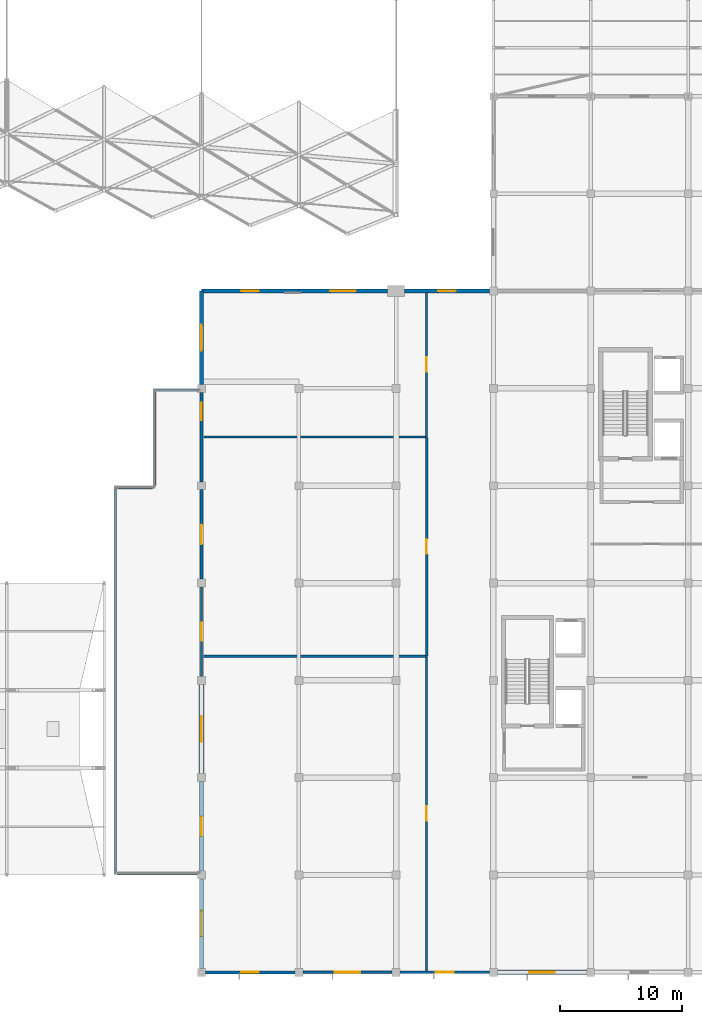
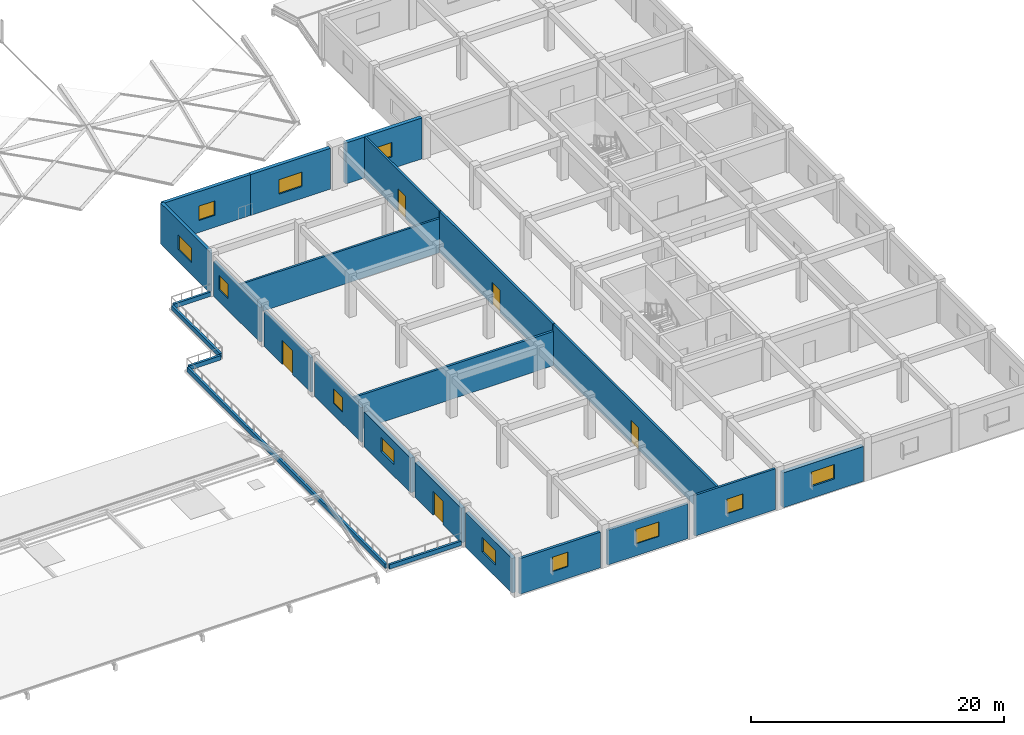
# One storey, part 38 of 54: 24 walls, 12 windows, 5 doors, 17 openings.
"""IFC4 building model written with IfcOpenShell, lengths in metres."""

from ifc_helpers import new_model, si_unit, direction, frame, frame_2d, origin, place, context, subcontext, project, spatial, rectangle, extrude, material, layer, layer_set, type_object, element, fill, save


model = new_model("IFC4")

# Units and contexts
model_context = context("Model", 3, precision=1e-05, world=origin(), true_north=direction((0.0, 1.0)))
body_context = subcontext(model_context, "Body", "Model", "MODEL_VIEW")
ifc_project = project(units=[si_unit("LENGTHUNIT", "METRE"), si_unit("AREAUNIT", "SQUARE_METRE"), si_unit("VOLUMEUNIT", "CUBIC_METRE"), si_unit("PLANEANGLEUNIT", "RADIAN"), si_unit("MASSUNIT", "GRAM", prefix="KILO")], contexts=[model_context])

# Site, building, storey
site_placement = place(None, origin())
site = spatial("IfcSite", under=ifc_project, at=site_placement, CompositionType="ELEMENT")
building_placement = place(site_placement, origin())
building = spatial("IfcBuilding", under=site, at=building_placement, Name="Kenh Van Central Station", CompositionType="ELEMENT")
storey_placement = place(building_placement, frame((0.0, 0.0, 15.0)))
storey = spatial("IfcBuildingStorey", under=building, at=storey_placement, Name="L03", CompositionType="ELEMENT", Elevation=15.0)

# Wall, opening, door
ifc_material_1 = material(Name="Lightweight acoustic masonry blockwork", Category="masonry")
ifc_layer_1 = layer(ifc_material_1, 0.18994140625, Name="Lightweight acoustic masonry blockwork")
ifc_layer_set_1 = layer_set([ifc_layer_1], Name="Lightweight acoustic masonry blockwork")
wall_type_1 = type_object("IfcWallType", Name="WL-COMP-190", PredefinedType="SOLIDWALL", material=ifc_layer_set_1)
wall_1_placement = place(storey_placement, frame((146.5, 8.1201171875, 0.0), z_axis=(0.0, 0.0, 1.0), x_axis=(0.0, 1.0, 0.0)))
wall_1 = element("IfcWall", 1, at=wall_1_placement, inside=storey, type_object=wall_type_1, Name="L03 interior wall 0171", PredefinedType="SOLIDWALL", context=body_context, shape_type="SweptSolid", body=[
    extrude(rectangle(XDim=25.85986328125, YDim=0.18994140625, at=frame_2d((12.929931640625, 0.0))), origin(), (0.0, 0.0, 1.0), 3.949951171875),
])
opening_1_placement = place(wall_1_placement, frame((12.330078125, 0.0, 0.0)))
opening_1 = element("IfcOpeningElement", 2, at=opening_1_placement, cuts=wall_1, Name="Opening D-FD60S", PredefinedType="OPENING", context=body_context, shape_type="SweptSolid", body=[
    extrude(rectangle(XDim=1.199951171875, YDim=2.14990234375, at=frame_2d((0.60009765625, 1.074951171875))), frame((0.0, 0.10498046875, 0.0), z_axis=(0.0, -1.0, 0.0), x_axis=(1.0, 0.0, 0.0)), (0.0, 0.0, 1.0), 0.2099609375),
])
ifc_material_2 = material(Name="Champagne anodised aluminium", Category="aluminium")
door_type_1 = type_object("IfcDoorType", Name="DR-FIRE-1200x2150", OperationType="NOTDEFINED", PredefinedType="DOOR", material=ifc_material_2)
door_1_placement = place(opening_1_placement, origin())
door_1 = element("IfcDoor", 3, at=door_1_placement, inside=storey, type_object=door_type_1, Name="L03 interior door 0094", OperationType="SINGLE_SWING_LEFT", OverallHeight=2.14990234375, OverallWidth=1.199951171875, PredefinedType="DOOR", context=body_context, shape_type="SweptSolid", body=[
    extrude(rectangle(XDim=1.199951171875, YDim=2.14990234375, at=frame_2d((0.60009765625, 1.074951171875))), frame((0.0, 0.02490234375, 0.0), z_axis=(0.0, -1.0, 0.0), x_axis=(1.0, 0.0, 0.0)), (0.0, 0.0, 1.0), 0.050048828125),
])
fill(opening_1, door_1)

wall_2_placement = place(storey_placement, frame((146.5, 52.02001953125, 0.0), z_axis=(0.0, 0.0, 1.0), x_axis=(0.0, 1.0, 0.0)))
wall_2 = element("IfcWall", 4, at=wall_2_placement, inside=storey, type_object=wall_type_1, Name="L03 interior wall 0173", PredefinedType="SOLIDWALL", context=body_context, shape_type="SweptSolid", body=[
    extrude(rectangle(XDim=11.85986328125, YDim=0.18994140625, at=frame_2d((5.929931640625, 0.0))), origin(), (0.0, 0.0, 1.0), 3.949951171875),
])
opening_2_placement = place(wall_2_placement, frame((5.330078125, 0.0, 0.0)))
opening_2 = element("IfcOpeningElement", 5, at=opening_2_placement, cuts=wall_2, Name="Opening D-FD60S", PredefinedType="OPENING", context=body_context, shape_type="SweptSolid", body=[
    extrude(rectangle(XDim=1.199951171875, YDim=2.14990234375, at=frame_2d((0.60009765625, 1.074951171875))), frame((0.0, 0.10498046875, 0.0), z_axis=(0.0, -1.0, 0.0), x_axis=(1.0, 0.0, 0.0)), (0.0, 0.0, 1.0), 0.2099609375),
])
door_2_placement = place(opening_2_placement, origin())
door_2 = element("IfcDoor", 6, at=door_2_placement, inside=storey, type_object=door_type_1, Name="L03 interior door 0096", OperationType="SINGLE_SWING_LEFT", OverallHeight=2.14990234375, OverallWidth=1.199951171875, PredefinedType="DOOR", context=body_context, shape_type="SweptSolid", body=[
    extrude(rectangle(XDim=1.199951171875, YDim=2.14990234375, at=frame_2d((0.60009765625, 1.074951171875))), frame((0.0, 0.02490234375, 0.0), z_axis=(0.0, -1.0, 0.0), x_axis=(1.0, 0.0, 0.0)), (0.0, 0.0, 1.0), 0.050048828125),
])
fill(opening_2, door_2)

# Wall
wall_3_placement = place(storey_placement, frame((128.1201171875, 52.0, 0.0), z_axis=(0.0, 0.0, 1.0), x_axis=(1.0, 0.0, 0.0)))
element("IfcWall", 7, at=wall_3_placement, inside=storey, type_object=wall_type_1, Name="L03 interior wall 0175", PredefinedType="SOLIDWALL", context=body_context, shape_type="SweptSolid", body=[
    extrude(rectangle(XDim=18.35986328125, YDim=0.18994140625, at=frame_2d((9.179931640625, 0.0))), origin(), (0.0, 0.0, 1.0), 3.31005859375),
])

# Wall, opening, door
ifc_layer_2 = layer(ifc_material_1, 0.2099609375, Name="Lightweight acoustic masonry blockwork")
ifc_layer_set_2 = layer_set([ifc_layer_2], Name="Lightweight acoustic masonry blockwork")
wall_type_2 = type_object("IfcWallType", Name="WL-COMP-210", PredefinedType="SOLIDWALL", material=ifc_layer_set_2)
wall_4_placement = place(storey_placement, frame((146.5, 34.02001953125, 0.0), z_axis=(0.0, 0.0, 1.0), x_axis=(0.0, 1.0, 0.0)))
wall_4 = element("IfcWall", 8, at=wall_4_placement, inside=storey, type_object=wall_type_2, Name="L03 interior wall 0172", PredefinedType="SOLIDWALL", context=body_context, shape_type="SweptSolid", body=[
    extrude(rectangle(XDim=17.9599609375, YDim=0.2099609375, at=frame_2d((8.97998046875, 0.0))), origin(), (0.0, 0.0, 1.0), 3.949951171875),
])
opening_3_placement = place(wall_4_placement, frame((8.3798828125, 0.0, 0.0)))
opening_3 = element("IfcOpeningElement", 9, at=opening_3_placement, cuts=wall_4, Name="Opening D-FD60S", PredefinedType="OPENING", context=body_context, shape_type="SweptSolid", body=[
    extrude(rectangle(XDim=1.199951171875, YDim=2.14990234375, at=frame_2d((0.60009765625, 1.074951171875))), frame((0.0, 0.114990234375, 0.0), z_axis=(0.0, -1.0, 0.0), x_axis=(1.0, 0.0, 0.0)), (0.0, 0.0, 1.0), 0.22998046875),
])
door_3_placement = place(opening_3_placement, origin())
door_3 = element("IfcDoor", 10, at=door_3_placement, inside=storey, type_object=door_type_1, Name="L03 interior door 0095", OperationType="SINGLE_SWING_RIGHT", OverallHeight=2.14990234375, OverallWidth=1.199951171875, PredefinedType="DOOR", context=body_context, shape_type="SweptSolid", body=[
    extrude(rectangle(XDim=1.199951171875, YDim=2.14990234375, at=frame_2d((0.60009765625, 1.074951171875))), frame((0.0, 0.02490234375, 0.0), z_axis=(0.0, -1.0, 0.0), x_axis=(1.0, 0.0, 0.0)), (0.0, 0.0, 1.0), 0.050048828125),
])
fill(opening_3, door_3)

# Wall
wall_5_placement = place(storey_placement, frame((128.1201171875, 34.0, 0.0), z_axis=(0.0, 0.0, 1.0), x_axis=(1.0, 0.0, 0.0)))
element("IfcWall", 11, at=wall_5_placement, inside=storey, type_object=wall_type_2, Name="L03 interior wall 0174", PredefinedType="SOLIDWALL", context=body_context, shape_type="SweptSolid", body=[
    extrude(rectangle(XDim=18.35986328125, YDim=0.2099609375, at=frame_2d((9.179931640625, 0.0))), origin(), (0.0, 0.0, 1.0), 3.31005859375),
])

# Wall, opening, window
ifc_material_3 = material(Name="Saigon buff sandstone and terracotta masonry", Category="masonry")
ifc_layer_3 = layer(ifc_material_3, 0.2900390625, Name="Saigon buff sandstone and terracotta masonry")
ifc_layer_set_3 = layer_set([ifc_layer_3], Name="Saigon buff sandstone and terracotta masonry")
wall_type_3 = type_object("IfcWallType", Name="WL-EXT-290", PredefinedType="STANDARD", material=ifc_layer_set_3)
wall_6_placement = place(storey_placement, frame((128.0, 64.0, 0.0), z_axis=(0.0, 0.0, 1.0), x_axis=(0.0, -1.0, 0.0)))
wall_6 = element("IfcWall", 12, at=wall_6_placement, inside=storey, type_object=wall_type_3, Name="L03 exterior wall 124", PredefinedType="STANDARD", context=body_context, shape_type="SweptSolid", body=[
    extrude(rectangle(XDim=7.675048828125, YDim=0.2900390625, at=frame_2d((3.83740234375, 0.0))), origin(), (0.0, 0.0, 1.0), 3.949951171875),
])
opening_4_placement = place(wall_6_placement, frame((2.78759765625, 0.0, 1.14990234375)))
opening_4 = element("IfcOpeningElement", 13, at=opening_4_placement, cuts=wall_6, Name="Opening WN-18", PredefinedType="OPENING", context=body_context, shape_type="SweptSolid", body=[
    extrude(rectangle(XDim=2.10009765625, YDim=1.39990234375, at=frame_2d((1.050048828125, 0.699951171875))), frame((0.0, 0.155029296875, 0.0), z_axis=(0.0, -1.0, 0.0), x_axis=(1.0, 0.0, 0.0)), (0.0, 0.0, 1.0), 0.31005859375),
])
ifc_material_4 = material(Name="Double-glazed low-E laminated solar glass", Category="glass")
window_type_1 = type_object("IfcWindowType", Name="WN-OP03-2100x1400", PartitioningType="DOUBLE_PANEL_VERTICAL", PredefinedType="WINDOW", material=ifc_material_4)
window_1_placement = place(opening_4_placement, origin())
window_1 = element("IfcWindow", 14, at=window_1_placement, inside=storey, type_object=window_type_1, Name="L03 window 094", OverallHeight=1.39990234375, OverallWidth=2.10009765625, PartitioningType="SINGLE_PANEL", PredefinedType="WINDOW", context=body_context, shape_type="SweptSolid", body=[
    extrude(rectangle(XDim=2.10009765625, YDim=1.39990234375, at=frame_2d((1.050048828125, 0.699951171875))), frame((0.0, 0.030029296875, 0.0), z_axis=(0.0, -1.0, 0.0), x_axis=(1.0, 0.0, 0.0)), (0.0, 0.0, 1.0), 0.06005859375),
])
fill(opening_4, window_1)

ifc_layer_4 = layer(ifc_material_3, 0.31005859375, Name="Saigon buff sandstone and terracotta masonry")
ifc_layer_set_4 = layer_set([ifc_layer_4], Name="Saigon buff sandstone and terracotta masonry")
wall_type_4 = type_object("IfcWallType", Name="WL-EXT-310", PredefinedType="STANDARD", material=ifc_layer_set_4)
wall_7_placement = place(storey_placement, frame((136.0, 64.0, 0.0), z_axis=(0.0, 0.0, 1.0), x_axis=(-1.0, 0.0, 0.0)))
wall_7 = element("IfcWall", 15, at=wall_7_placement, inside=storey, type_object=wall_type_4, Name="L03 exterior wall 123", PredefinedType="STANDARD", context=body_context, shape_type="SweptSolid", body=[
    extrude(rectangle(XDim=8.0, YDim=0.31005859375, at=frame_2d((4.0, 0.0))), origin(), (0.0, 0.0, 1.0), 3.949951171875),
])
opening_5_placement = place(wall_7_placement, frame((3.27490234375, 0.0, 1.14990234375)))
opening_5 = element("IfcOpeningElement", 16, at=opening_5_placement, cuts=wall_7, Name="Opening WN-19", PredefinedType="OPENING", context=body_context, shape_type="SweptSolid", body=[
    extrude(rectangle(XDim=1.449951171875, YDim=1.39990234375, at=frame_2d((0.72509765625, 0.699951171875))), frame((0.0, 0.1650390625, 0.0), z_axis=(0.0, -1.0, 0.0), x_axis=(1.0, 0.0, 0.0)), (0.0, 0.0, 1.0), 0.330078125),
])
window_type_2 = type_object("IfcWindowType", Name="WN-OP03-1450x1400", PartitioningType="SINGLE_PANEL", PredefinedType="WINDOW", material=ifc_material_4)
window_2_placement = place(opening_5_placement, origin())
window_2 = element("IfcWindow", 17, at=window_2_placement, inside=storey, type_object=window_type_2, Name="L03 window 093", OverallHeight=1.39990234375, OverallWidth=1.449951171875, PartitioningType="SINGLE_PANEL", PredefinedType="WINDOW", context=body_context, shape_type="SweptSolid", body=[
    extrude(rectangle(XDim=1.449951171875, YDim=1.39990234375, at=frame_2d((0.72509765625, 0.699951171875))), frame((0.0, 0.030029296875, 0.0), z_axis=(0.0, -1.0, 0.0), x_axis=(1.0, 0.0, 0.0)), (0.0, 0.0, 1.0), 0.06005859375),
])
fill(opening_5, window_2)

ifc_layer_5 = layer(ifc_material_3, 0.330078125, Name="Saigon buff sandstone and terracotta masonry")
ifc_layer_set_5 = layer_set([ifc_layer_5], Name="Saigon buff sandstone and terracotta masonry")
wall_type_5 = type_object("IfcWallType", Name="WL-EXT-330", PredefinedType="STANDARD", material=ifc_layer_set_5)
wall_8_placement = place(storey_placement, frame((143.300048828125, 64.0, 0.0), z_axis=(0.0, 0.0, 1.0), x_axis=(-1.0, 0.0, 0.0)))
wall_8 = element("IfcWall", 18, at=wall_8_placement, inside=storey, type_object=wall_type_5, Name="L03 exterior wall 122", PredefinedType="STANDARD", context=body_context, shape_type="SweptSolid", body=[
    extrude(rectangle(XDim=7.300048828125, YDim=0.330078125, at=frame_2d((3.64990234375, 0.0))), origin(), (0.0, 0.0, 1.0), 3.949951171875),
])
opening_6_placement = place(wall_8_placement, frame((2.60009765625, 0.0, 1.14990234375)))
opening_6 = element("IfcOpeningElement", 19, at=opening_6_placement, cuts=wall_8, Name="Opening WN-18", PredefinedType="OPENING", context=body_context, shape_type="SweptSolid", body=[
    extrude(rectangle(XDim=2.10009765625, YDim=1.39990234375, at=frame_2d((1.050048828125, 0.699951171875))), frame((0.0, 0.175048828125, 0.0), z_axis=(0.0, -1.0, 0.0), x_axis=(1.0, 0.0, 0.0)), (0.0, 0.0, 1.0), 0.35009765625),
])
window_3_placement = place(opening_6_placement, origin())
window_3 = element("IfcWindow", 20, at=window_3_placement, inside=storey, type_object=window_type_1, Name="L03 window 092", OverallHeight=1.39990234375, OverallWidth=2.10009765625, PartitioningType="SINGLE_PANEL", PredefinedType="WINDOW", context=body_context, shape_type="SweptSolid", body=[
    extrude(rectangle(XDim=2.10009765625, YDim=1.39990234375, at=frame_2d((1.050048828125, 0.699951171875))), frame((0.0, 0.030029296875, 0.0), z_axis=(0.0, -1.0, 0.0), x_axis=(1.0, 0.0, 0.0)), (0.0, 0.0, 1.0), 0.06005859375),
])
fill(opening_6, window_3)

wall_9_placement = place(storey_placement, frame((128.0, 15.675048828125, 0.0), z_axis=(0.0, 0.0, 1.0), x_axis=(0.0, -1.0, 0.0)))
wall_9 = element("IfcWall", 21, at=wall_9_placement, inside=storey, type_object=wall_type_5, Name="L03 exterior wall 130", PredefinedType="STANDARD", context=body_context, shape_type="SweptSolid", body=[
    extrude(rectangle(XDim=7.35009765625, YDim=0.330078125, at=frame_2d((3.675048828125, 0.0))), origin(), (0.0, 0.0, 1.0), 3.360107421875),
])
opening_7_placement = place(wall_9_placement, frame((2.625, 0.0, 1.14990234375)))
opening_7 = element("IfcOpeningElement", 22, at=opening_7_placement, cuts=wall_9, Name="Opening WN-18", PredefinedType="OPENING", context=body_context, shape_type="SweptSolid", body=[
    extrude(rectangle(XDim=2.10009765625, YDim=1.39990234375, at=frame_2d((1.050048828125, 0.699951171875))), frame((0.0, 0.175048828125, 0.0), z_axis=(0.0, -1.0, 0.0), x_axis=(1.0, 0.0, 0.0)), (0.0, 0.0, 1.0), 0.35009765625),
])
window_4_placement = place(opening_7_placement, origin())
window_4 = element("IfcWindow", 23, at=window_4_placement, inside=storey, type_object=window_type_1, Name="L03 window 098", OverallHeight=1.39990234375, OverallWidth=2.10009765625, PartitioningType="SINGLE_PANEL", PredefinedType="WINDOW", context=body_context, shape_type="SweptSolid", body=[
    extrude(rectangle(XDim=2.10009765625, YDim=1.39990234375, at=frame_2d((1.050048828125, 0.699951171875))), frame((0.0, 0.030029296875, 0.0), z_axis=(0.0, -1.0, 0.0), x_axis=(1.0, 0.0, 0.0)), (0.0, 0.0, 1.0), 0.06005859375),
])
fill(opening_7, window_4)

ifc_layer_6 = layer(ifc_material_3, 0.35009765625, Name="Saigon buff sandstone and terracotta masonry")
ifc_layer_set_6 = layer_set([ifc_layer_6], Name="Saigon buff sandstone and terracotta masonry")
wall_type_6 = type_object("IfcWallType", Name="WL-EXT-350", PredefinedType="STANDARD", material=ifc_layer_set_6)
wall_10_placement = place(storey_placement, frame((151.675048828125, 64.0, 0.0), z_axis=(0.0, 0.0, 1.0), x_axis=(-1.0, 0.0, 0.0)))
wall_10 = element("IfcWall", 24, at=wall_10_placement, inside=storey, type_object=wall_type_6, Name="L03 exterior wall 121", PredefinedType="STANDARD", context=body_context, shape_type="SweptSolid", body=[
    extrude(rectangle(XDim=6.97509765625, YDim=0.35009765625, at=frame_2d((3.487548828125, 0.0))), origin(), (0.0, 0.0, 1.0), 3.949951171875),
])
opening_8_placement = place(wall_10_placement, frame((2.762451171875, 0.0, 1.14990234375)))
opening_8 = element("IfcOpeningElement", 25, at=opening_8_placement, cuts=wall_10, Name="Opening WN-19", PredefinedType="OPENING", context=body_context, shape_type="SweptSolid", body=[
    extrude(rectangle(XDim=1.449951171875, YDim=1.39990234375, at=frame_2d((0.72509765625, 0.699951171875))), frame((0.0, 0.18505859375, 0.0), z_axis=(0.0, -1.0, 0.0), x_axis=(1.0, 0.0, 0.0)), (0.0, 0.0, 1.0), 0.3701171875),
])
window_5_placement = place(opening_8_placement, origin())
window_5 = element("IfcWindow", 26, at=window_5_placement, inside=storey, type_object=window_type_2, Name="L03 window 091", OverallHeight=1.39990234375, OverallWidth=1.449951171875, PartitioningType="SINGLE_PANEL", PredefinedType="WINDOW", context=body_context, shape_type="SweptSolid", body=[
    extrude(rectangle(XDim=1.449951171875, YDim=1.39990234375, at=frame_2d((0.72509765625, 0.699951171875))), frame((0.0, 0.030029296875, 0.0), z_axis=(0.0, -1.0, 0.0), x_axis=(1.0, 0.0, 0.0)), (0.0, 0.0, 1.0), 0.06005859375),
])
fill(opening_8, window_5)

# Wall, opening, door
wall_11_placement = place(storey_placement, frame((128.0, 23.675048828125, 0.0), z_axis=(0.0, 0.0, 1.0), x_axis=(0.0, -1.0, 0.0)))
wall_11 = element("IfcWall", 27, at=wall_11_placement, inside=storey, type_object=wall_type_6, Name="L03 exterior wall 129", PredefinedType="STANDARD", context=body_context, shape_type="SweptSolid", body=[
    extrude(rectangle(XDim=7.35009765625, YDim=0.35009765625, at=frame_2d((3.675048828125, 0.0))), origin(), (0.0, 0.0, 1.0), 3.360107421875),
])
opening_9_placement = place(wall_11_placement, frame((2.875, 0.0, 0.0)))
opening_9 = element("IfcOpeningElement", 28, at=opening_9_placement, cuts=wall_11, Name="Opening D-EX5", PredefinedType="OPENING", context=body_context, shape_type="SweptSolid", body=[
    extrude(rectangle(XDim=1.60009765625, YDim=2.300048828125, at=frame_2d((0.800048828125, 1.14990234375))), frame((0.0, 0.18505859375, 0.0), z_axis=(0.0, -1.0, 0.0), x_axis=(1.0, 0.0, 0.0)), (0.0, 0.0, 1.0), 0.3701171875),
])
door_type_2 = type_object("IfcDoorType", Name="DR-EXT-1600x2300", OperationType="DOUBLE_DOOR_SINGLE_SWING", PredefinedType="DOOR", material=ifc_material_2)
door_4_placement = place(opening_9_placement, origin())
door_4 = element("IfcDoor", 29, at=door_4_placement, inside=storey, type_object=door_type_2, Name="L03 exterior door 032", OperationType="DOUBLE_DOOR_SINGLE_SWING", OverallHeight=2.300048828125, OverallWidth=1.60009765625, PredefinedType="DOOR", context=body_context, shape_type="SweptSolid", body=[
    extrude(rectangle(XDim=1.60009765625, YDim=2.300048828125, at=frame_2d((0.800048828125, 1.14990234375))), frame((0.0, 0.02490234375, 0.0), z_axis=(0.0, -1.0, 0.0), x_axis=(1.0, 0.0, 0.0)), (0.0, 0.0, 1.0), 0.050048828125),
])
fill(opening_9, door_4)

# Wall, opening, window
ifc_layer_7 = layer(ifc_material_3, 0.3798828125, Name="Saigon buff sandstone and terracotta masonry")
ifc_layer_set_7 = layer_set([ifc_layer_7], Name="Saigon buff sandstone and terracotta masonry")
wall_type_7 = type_object("IfcWallType", Name="WL-EXT-380", PredefinedType="STANDARD", material=ifc_layer_set_7)
wall_12_placement = place(storey_placement, frame((152.324951171875, 8.0, 0.0), z_axis=(0.0, 0.0, 1.0), x_axis=(1.0, 0.0, 0.0)))
wall_12 = element("IfcWall", 30, at=wall_12_placement, inside=storey, type_object=wall_type_7, Name="L03 exterior wall 104", PredefinedType="STANDARD", context=body_context, shape_type="SweptSolid", body=[
    extrude(rectangle(XDim=7.35009765625, YDim=0.3798828125, at=frame_2d((3.675048828125, 0.0))), origin(), (0.0, 0.0, 1.0), 3.364990234375),
])
opening_10_placement = place(wall_12_placement, frame((2.625, 0.0, 1.14990234375)))
opening_10 = element("IfcOpeningElement", 31, at=opening_10_placement, cuts=wall_12, Name="Opening WN-18", PredefinedType="OPENING", context=body_context, shape_type="SweptSolid", body=[
    extrude(rectangle(XDim=2.10009765625, YDim=1.39990234375, at=frame_2d((1.050048828125, 0.699951171875))), frame((0.0, 0.199951171875, 0.0), z_axis=(0.0, -1.0, 0.0), x_axis=(1.0, 0.0, 0.0)), (0.0, 0.0, 1.0), 0.39990234375),
])
window_6_placement = place(opening_10_placement, origin())
window_6 = element("IfcWindow", 32, at=window_6_placement, inside=storey, type_object=window_type_1, Name="L03 window 074", OverallHeight=1.39990234375, OverallWidth=2.10009765625, PartitioningType="SINGLE_PANEL", PredefinedType="WINDOW", context=body_context, shape_type="SweptSolid", body=[
    extrude(rectangle(XDim=2.10009765625, YDim=1.39990234375, at=frame_2d((1.050048828125, 0.699951171875))), frame((0.0, 0.030029296875, 0.0), z_axis=(0.0, -1.0, 0.0), x_axis=(1.0, 0.0, 0.0)), (0.0, 0.0, 1.0), 0.06005859375),
])
fill(opening_10, window_6)

wall_13_placement = place(storey_placement, frame((128.0, 31.675048828125, 0.0), z_axis=(0.0, 0.0, 1.0), x_axis=(0.0, -1.0, 0.0)))
wall_13 = element("IfcWall", 33, at=wall_13_placement, inside=storey, type_object=wall_type_7, Name="L03 exterior wall 128", PredefinedType="STANDARD", context=body_context, shape_type="SweptSolid", body=[
    extrude(rectangle(XDim=7.35009765625, YDim=0.3798828125, at=frame_2d((3.675048828125, 0.0))), origin(), (0.0, 0.0, 1.0), 3.360107421875),
])
opening_11_placement = place(wall_13_placement, frame((2.625, 0.0, 1.14990234375)))
opening_11 = element("IfcOpeningElement", 34, at=opening_11_placement, cuts=wall_13, Name="Opening WN-18", PredefinedType="OPENING", context=body_context, shape_type="SweptSolid", body=[
    extrude(rectangle(XDim=2.10009765625, YDim=1.39990234375, at=frame_2d((1.050048828125, 0.699951171875))), frame((0.0, 0.199951171875, 0.0), z_axis=(0.0, -1.0, 0.0), x_axis=(1.0, 0.0, 0.0)), (0.0, 0.0, 1.0), 0.39990234375),
])
window_7_placement = place(opening_11_placement, origin())
window_7 = element("IfcWindow", 35, at=window_7_placement, inside=storey, type_object=window_type_1, Name="L03 window 097", OverallHeight=1.39990234375, OverallWidth=2.10009765625, PartitioningType="SINGLE_PANEL", PredefinedType="WINDOW", context=body_context, shape_type="SweptSolid", body=[
    extrude(rectangle(XDim=2.10009765625, YDim=1.39990234375, at=frame_2d((1.050048828125, 0.699951171875))), frame((0.0, 0.030029296875, 0.0), z_axis=(0.0, -1.0, 0.0), x_axis=(1.0, 0.0, 0.0)), (0.0, 0.0, 1.0), 0.06005859375),
])
fill(opening_11, window_7)

# Walls
ifc_material_5 = material(Name="Saigon buff sandstone parapet masonry", Category="masonry")
ifc_layer_8 = layer(ifc_material_5, 0.205078125, Name="Saigon buff sandstone parapet masonry")
ifc_layer_set_8 = layer_set([ifc_layer_8], Name="Saigon buff sandstone parapet masonry")
wall_type_8 = type_object("IfcWallType", Name="WL-PAR-205", PredefinedType="PARAPET", material=ifc_layer_set_8)
wall_14_placement = place(storey_placement, frame((121.110107421875, 16.14990234375, 0.0), z_axis=(0.0, 0.0, 1.0), x_axis=(1.0, 0.0, 0.0)))
element("IfcWall", 36, at=wall_14_placement, inside=storey, type_object=wall_type_8, Name="L03 terrace parapet 06", PredefinedType="PARAPET", context=body_context, shape_type="SweptSolid", body=[
    extrude(rectangle(XDim=6.579833984375, YDim=0.205078125, at=frame_2d((3.2900390625, 0.0))), origin(), (0.0, 0.0, 1.0), 0.419921875),
])
wall_15_placement = place(storey_placement, frame((120.949951171875, 16.31005859375, 0.0), z_axis=(0.0, 0.0, 1.0), x_axis=(0.0, 1.0, 0.0)))
element("IfcWall", 37, at=wall_15_placement, inside=storey, type_object=wall_type_8, Name="L03 terrace parapet 07", PredefinedType="PARAPET", context=body_context, shape_type="SweptSolid", body=[
    extrude(rectangle(XDim=31.3798828125, YDim=0.205078125, at=frame_2d((15.68994140625, 0.0))), origin(), (0.0, 0.0, 1.0), 0.419921875),
])
wall_16_placement = place(storey_placement, frame((121.110107421875, 47.85009765625, 0.0), z_axis=(0.0, 0.0, 1.0), x_axis=(1.0, 0.0, 0.0)))
element("IfcWall", 38, at=wall_16_placement, inside=storey, type_object=wall_type_8, Name="L03 terrace parapet 08", PredefinedType="PARAPET", context=body_context, shape_type="SweptSolid", body=[
    extrude(rectangle(XDim=2.8798828125, YDim=0.205078125, at=frame_2d((1.43994140625, 0.0))), origin(), (0.0, 0.0, 1.0), 0.419921875),
])
wall_17_placement = place(storey_placement, frame((124.14990234375, 48.010009765625, 0.0), z_axis=(0.0, 0.0, 1.0), x_axis=(0.0, 1.0, 0.0)))
element("IfcWall", 39, at=wall_17_placement, inside=storey, type_object=wall_type_8, Name="L03 terrace parapet 09", PredefinedType="PARAPET", context=body_context, shape_type="SweptSolid", body=[
    extrude(rectangle(XDim=7.679931640625, YDim=0.205078125, at=frame_2d((3.83984375, 0.0))), origin(), (0.0, 0.0, 1.0), 0.419921875),
])
wall_18_placement = place(storey_placement, frame((124.31005859375, 55.85009765625, 0.0), z_axis=(0.0, 0.0, 1.0), x_axis=(1.0, 0.0, 0.0)))
element("IfcWall", 40, at=wall_18_placement, inside=storey, type_object=wall_type_8, Name="L03 terrace parapet 10", PredefinedType="PARAPET", context=body_context, shape_type="SweptSolid", body=[
    extrude(rectangle(XDim=3.3798828125, YDim=0.205078125, at=frame_2d((1.68994140625, 0.0))), origin(), (0.0, 0.0, 1.0), 0.419921875),
])

# Wall, opening, window
ifc_material_6 = material(Name="Glazed terracotta architectural masonry", Category="masonry")
ifc_layer_9 = layer(ifc_material_6, 0.195068359375, Name="Glazed terracotta architectural masonry")
ifc_layer_set_9 = layer_set([ifc_layer_9], Name="Glazed terracotta architectural masonry")
wall_type_9 = type_object("IfcWallType", Name="WL-SLD-195", PredefinedType="SOLIDWALL", material=ifc_layer_set_9)
wall_19_placement = place(storey_placement, frame((144.324951171875, 8.0, 0.0), z_axis=(0.0, 0.0, 1.0), x_axis=(1.0, 0.0, 0.0)))
wall_19 = element("IfcWall", 41, at=wall_19_placement, inside=storey, type_object=wall_type_9, Name="L03 exterior wall 103", PredefinedType="SOLIDWALL", context=body_context, shape_type="SweptSolid", body=[
    extrude(rectangle(XDim=7.35009765625, YDim=0.195068359375, at=frame_2d((3.675048828125, 0.0))), origin(), (0.0, 0.0, 1.0), 3.949951171875),
])
opening_12_placement = place(wall_19_placement, frame((2.949951171875, 0.0, 1.14990234375)))
opening_12 = element("IfcOpeningElement", 42, at=opening_12_placement, cuts=wall_19, Name="Opening WN-19", PredefinedType="OPENING", context=body_context, shape_type="SweptSolid", body=[
    extrude(rectangle(XDim=1.449951171875, YDim=1.39990234375, at=frame_2d((0.72509765625, 0.699951171875))), frame((0.0, 0.107421875, 0.0), z_axis=(0.0, -1.0, 0.0), x_axis=(1.0, 0.0, 0.0)), (0.0, 0.0, 1.0), 0.215087890625),
])
window_8_placement = place(opening_12_placement, origin())
window_8 = element("IfcWindow", 43, at=window_8_placement, inside=storey, type_object=window_type_2, Name="L03 window 073", OverallHeight=1.39990234375, OverallWidth=1.449951171875, PartitioningType="SINGLE_PANEL", PredefinedType="WINDOW", context=body_context, shape_type="SweptSolid", body=[
    extrude(rectangle(XDim=1.449951171875, YDim=1.39990234375, at=frame_2d((0.72509765625, 0.699951171875))), frame((0.0, 0.030029296875, 0.0), z_axis=(0.0, -1.0, 0.0), x_axis=(1.0, 0.0, 0.0)), (0.0, 0.0, 1.0), 0.06005859375),
])
fill(opening_12, window_8)

wall_20_placement = place(storey_placement, frame((128.0, 39.675048828125, 0.0), z_axis=(0.0, 0.0, 1.0), x_axis=(0.0, -1.0, 0.0)))
wall_20 = element("IfcWall", 44, at=wall_20_placement, inside=storey, type_object=wall_type_9, Name="L03 exterior wall 127", PredefinedType="SOLIDWALL", context=body_context, shape_type="SweptSolid", body=[
    extrude(rectangle(XDim=7.35009765625, YDim=0.195068359375, at=frame_2d((3.675048828125, 0.0))), origin(), (0.0, 0.0, 1.0), 3.360107421875),
])
opening_13_placement = place(wall_20_placement, frame((2.949951171875, 0.0, 1.14990234375)))
opening_13 = element("IfcOpeningElement", 45, at=opening_13_placement, cuts=wall_20, Name="Opening WN-19", PredefinedType="OPENING", context=body_context, shape_type="SweptSolid", body=[
    extrude(rectangle(XDim=1.449951171875, YDim=1.39990234375, at=frame_2d((0.72509765625, 0.699951171875))), frame((0.0, 0.107421875, 0.0), z_axis=(0.0, -1.0, 0.0), x_axis=(1.0, 0.0, 0.0)), (0.0, 0.0, 1.0), 0.215087890625),
])
window_9_placement = place(opening_13_placement, origin())
window_9 = element("IfcWindow", 46, at=window_9_placement, inside=storey, type_object=window_type_2, Name="L03 window 096", OverallHeight=1.39990234375, OverallWidth=1.449951171875, PartitioningType="SINGLE_PANEL", PredefinedType="WINDOW", context=body_context, shape_type="SweptSolid", body=[
    extrude(rectangle(XDim=1.449951171875, YDim=1.39990234375, at=frame_2d((0.72509765625, 0.699951171875))), frame((0.0, 0.030029296875, 0.0), z_axis=(0.0, -1.0, 0.0), x_axis=(1.0, 0.0, 0.0)), (0.0, 0.0, 1.0), 0.06005859375),
])
fill(opening_13, window_9)

ifc_layer_10 = layer(ifc_material_6, 0.219970703125, Name="Glazed terracotta architectural masonry")
ifc_layer_set_10 = layer_set([ifc_layer_10], Name="Glazed terracotta architectural masonry")
wall_type_10 = type_object("IfcWallType", Name="WL-SLD-220", PredefinedType="SOLIDWALL", material=ifc_layer_set_10)
wall_21_placement = place(storey_placement, frame((136.324951171875, 8.0, 0.0), z_axis=(0.0, 0.0, 1.0), x_axis=(1.0, 0.0, 0.0)))
wall_21 = element("IfcWall", 47, at=wall_21_placement, inside=storey, type_object=wall_type_10, Name="L03 exterior wall 102", PredefinedType="SOLIDWALL", context=body_context, shape_type="SweptSolid", body=[
    extrude(rectangle(XDim=7.35009765625, YDim=0.219970703125, at=frame_2d((3.675048828125, 0.0))), origin(), (0.0, 0.0, 1.0), 3.364990234375),
])
opening_14_placement = place(wall_21_placement, frame((2.625, 0.0, 1.14990234375)))
opening_14 = element("IfcOpeningElement", 48, at=opening_14_placement, cuts=wall_21, Name="Opening WN-18", PredefinedType="OPENING", context=body_context, shape_type="SweptSolid", body=[
    extrude(rectangle(XDim=2.10009765625, YDim=1.39990234375, at=frame_2d((1.050048828125, 0.699951171875))), frame((0.0, 0.119873046875, 0.0), z_axis=(0.0, -1.0, 0.0), x_axis=(1.0, 0.0, 0.0)), (0.0, 0.0, 1.0), 0.239990234375),
])
window_10_placement = place(opening_14_placement, origin())
window_10 = element("IfcWindow", 49, at=window_10_placement, inside=storey, type_object=window_type_1, Name="L03 window 072", OverallHeight=1.39990234375, OverallWidth=2.10009765625, PartitioningType="SINGLE_PANEL", PredefinedType="WINDOW", context=body_context, shape_type="SweptSolid", body=[
    extrude(rectangle(XDim=2.10009765625, YDim=1.39990234375, at=frame_2d((1.050048828125, 0.699951171875))), frame((0.0, 0.030029296875, 0.0), z_axis=(0.0, -1.0, 0.0), x_axis=(1.0, 0.0, 0.0)), (0.0, 0.0, 1.0), 0.06005859375),
])
fill(opening_14, window_10)

# Wall, opening, door
wall_22_placement = place(storey_placement, frame((128.0, 47.675048828125, 0.0), z_axis=(0.0, 0.0, 1.0), x_axis=(0.0, -1.0, 0.0)))
wall_22 = element("IfcWall", 50, at=wall_22_placement, inside=storey, type_object=wall_type_10, Name="L03 exterior wall 126", PredefinedType="SOLIDWALL", context=body_context, shape_type="SweptSolid", body=[
    extrude(rectangle(XDim=7.35009765625, YDim=0.219970703125, at=frame_2d((3.675048828125, 0.0))), origin(), (0.0, 0.0, 1.0), 3.360107421875),
])
opening_15_placement = place(wall_22_placement, frame((2.875, 0.0, 0.0)))
opening_15 = element("IfcOpeningElement", 51, at=opening_15_placement, cuts=wall_22, Name="Opening D-EX5", PredefinedType="OPENING", context=body_context, shape_type="SweptSolid", body=[
    extrude(rectangle(XDim=1.60009765625, YDim=2.300048828125, at=frame_2d((0.800048828125, 1.14990234375))), frame((0.0, 0.119873046875, 0.0), z_axis=(0.0, -1.0, 0.0), x_axis=(1.0, 0.0, 0.0)), (0.0, 0.0, 1.0), 0.239990234375),
])
door_5_placement = place(opening_15_placement, origin())
door_5 = element("IfcDoor", 52, at=door_5_placement, inside=storey, type_object=door_type_2, Name="L03 exterior door 031", OperationType="DOUBLE_DOOR_SINGLE_SWING", OverallHeight=2.300048828125, OverallWidth=1.60009765625, PredefinedType="DOOR", context=body_context, shape_type="SweptSolid", body=[
    extrude(rectangle(XDim=1.60009765625, YDim=2.300048828125, at=frame_2d((0.800048828125, 1.14990234375))), frame((0.0, 0.02490234375, 0.0), z_axis=(0.0, -1.0, 0.0), x_axis=(1.0, 0.0, 0.0)), (0.0, 0.0, 1.0), 0.050048828125),
])
fill(opening_15, door_5)

# Wall, opening, window
ifc_layer_11 = layer(ifc_material_6, 0.239990234375, Name="Glazed terracotta architectural masonry")
ifc_layer_set_11 = layer_set([ifc_layer_11], Name="Glazed terracotta architectural masonry")
wall_type_11 = type_object("IfcWallType", Name="WL-SLD-240", PredefinedType="SOLIDWALL", material=ifc_layer_set_11)
wall_23_placement = place(storey_placement, frame((128.324951171875, 8.0, 0.0), z_axis=(0.0, 0.0, 1.0), x_axis=(1.0, 0.0, 0.0)))
wall_23 = element("IfcWall", 53, at=wall_23_placement, inside=storey, type_object=wall_type_11, Name="L03 exterior wall 101", PredefinedType="SOLIDWALL", context=body_context, shape_type="SweptSolid", body=[
    extrude(rectangle(XDim=7.35009765625, YDim=0.239990234375, at=frame_2d((3.675048828125, 0.0))), origin(), (0.0, 0.0, 1.0), 3.441650390625),
])
opening_16_placement = place(wall_23_placement, frame((2.949951171875, 0.0, 1.14990234375)))
opening_16 = element("IfcOpeningElement", 54, at=opening_16_placement, cuts=wall_23, Name="Opening WN-19", PredefinedType="OPENING", context=body_context, shape_type="SweptSolid", body=[
    extrude(rectangle(XDim=1.449951171875, YDim=1.39990234375, at=frame_2d((0.72509765625, 0.699951171875))), frame((0.0, 0.1298828125, 0.0), z_axis=(0.0, -1.0, 0.0), x_axis=(1.0, 0.0, 0.0)), (0.0, 0.0, 1.0), 0.260009765625),
])
window_11_placement = place(opening_16_placement, origin())
window_11 = element("IfcWindow", 55, at=window_11_placement, inside=storey, type_object=window_type_2, Name="L03 window 071", OverallHeight=1.39990234375, OverallWidth=1.449951171875, PartitioningType="SINGLE_PANEL", PredefinedType="WINDOW", context=body_context, shape_type="SweptSolid", body=[
    extrude(rectangle(XDim=1.449951171875, YDim=1.39990234375, at=frame_2d((0.72509765625, 0.699951171875))), frame((0.0, 0.030029296875, 0.0), z_axis=(0.0, -1.0, 0.0), x_axis=(1.0, 0.0, 0.0)), (0.0, 0.0, 1.0), 0.06005859375),
])
fill(opening_16, window_11)

wall_24_placement = place(storey_placement, frame((128.0, 55.675048828125, 0.0), z_axis=(0.0, 0.0, 1.0), x_axis=(0.0, -1.0, 0.0)))
wall_24 = element("IfcWall", 56, at=wall_24_placement, inside=storey, type_object=wall_type_11, Name="L03 exterior wall 125", PredefinedType="SOLIDWALL", context=body_context, shape_type="SweptSolid", body=[
    extrude(rectangle(XDim=7.35009765625, YDim=0.239990234375, at=frame_2d((3.675048828125, 0.0))), origin(), (0.0, 0.0, 1.0), 3.360107421875),
])
opening_17_placement = place(wall_24_placement, frame((0.85009765625, 0.0, 1.14990234375)))
opening_17 = element("IfcOpeningElement", 57, at=opening_17_placement, cuts=wall_24, Name="Opening WN-19", PredefinedType="OPENING", context=body_context, shape_type="SweptSolid", body=[
    extrude(rectangle(XDim=1.449951171875, YDim=1.39990234375, at=frame_2d((0.72509765625, 0.699951171875))), frame((0.0, 0.1298828125, 0.0), z_axis=(0.0, -1.0, 0.0), x_axis=(1.0, 0.0, 0.0)), (0.0, 0.0, 1.0), 0.260009765625),
])
window_12_placement = place(opening_17_placement, origin())
window_12 = element("IfcWindow", 58, at=window_12_placement, inside=storey, type_object=window_type_2, Name="L03 window 095", OverallHeight=1.39990234375, OverallWidth=1.449951171875, PartitioningType="SINGLE_PANEL", PredefinedType="WINDOW", context=body_context, shape_type="SweptSolid", body=[
    extrude(rectangle(XDim=1.449951171875, YDim=1.39990234375, at=frame_2d((0.72509765625, 0.699951171875))), frame((0.0, 0.030029296875, 0.0), z_axis=(0.0, -1.0, 0.0), x_axis=(1.0, 0.0, 0.0)), (0.0, 0.0, 1.0), 0.06005859375),
])
fill(opening_17, window_12)

save(model, "model.ifc")
